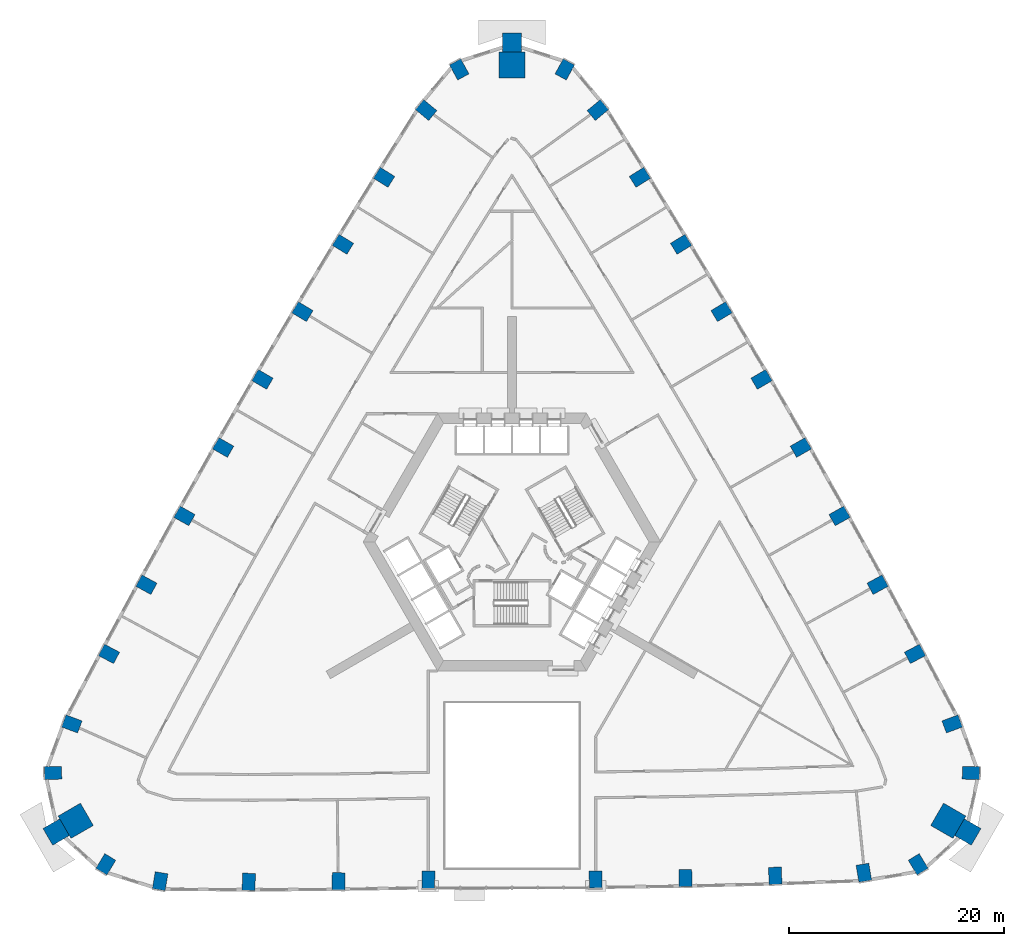
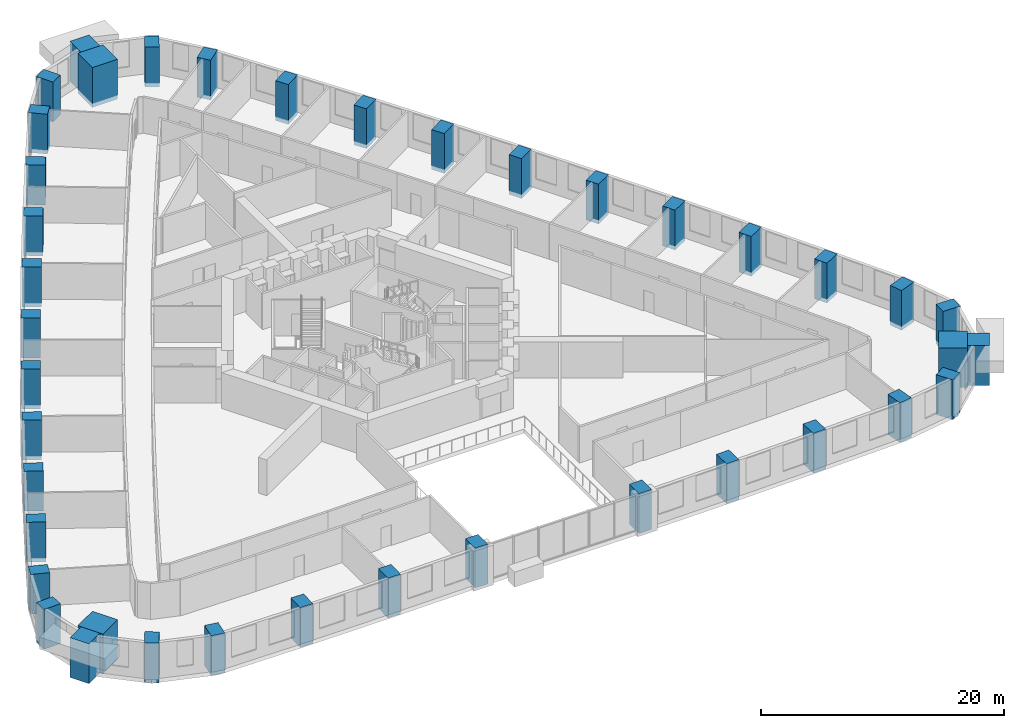
# One storey, part 1 of 15: 40 columns.
"""IFC4 building model written with IfcOpenShell, lengths in metres."""

from ifc_helpers import new_model, si_unit, direction, frame, origin, origin_2d, place, context, subcontext, project, spatial, rectangle, extrude, material, material_profile, profile_set, type_object, element, save


model = new_model("IFC4")

# Units and contexts
model_context = context("Model", 3, precision=1e-05, world=origin(), true_north=direction((0.0, 1.0)))
body_context = subcontext(model_context, "Body", "Model", "MODEL_VIEW")
ifc_project = project(units=[si_unit("LENGTHUNIT", "METRE"), si_unit("AREAUNIT", "SQUARE_METRE"), si_unit("VOLUMEUNIT", "CUBIC_METRE"), si_unit("PLANEANGLEUNIT", "RADIAN"), si_unit("MASSUNIT", "GRAM", prefix="KILO")], contexts=[model_context])

# Site, building, storey
site_placement = place(None, origin())
site = spatial("IfcSite", under=ifc_project, at=site_placement, CompositionType="ELEMENT")
building_placement = place(site_placement, origin())
building = spatial("IfcBuilding", under=site, at=building_placement, Name="Entoto Arch Interchange Tower", CompositionType="ELEMENT")
storey_placement = place(building_placement, frame((0.0, 0.0, 77.0)))
storey = spatial("IfcBuildingStorey", under=building, at=storey_placement, Name="L16", CompositionType="ELEMENT", Elevation=77.0)

# Columns
ifc_material_1 = material(Name="Concrete C60/75", Category="concrete")
ifc_material_profile_1 = material_profile(ifc_material_1, rectangle(XDim=1.199951171875, YDim=1.60009765625, at=origin_2d()))
ifc_profile_set_1 = profile_set([ifc_material_profile_1], Name="Concrete C60/75")
column_type_1 = type_object("IfcColumnType", Name="Column RC 1200x1600 C60/75", PredefinedType="COLUMN", material=ifc_profile_set_1)
for number, where, z_axis, x_axis, name in (
    (1, (-32.760986328125, -29.08203125, -0.39990234375), (0.0, 0.0, 1.0), (-0.98600476771, 0.166717119856, 0.0), "Column S01 L16"),
    (2, (-24.510009765625, -29.14306640625, -0.39990234375), (0.0, 0.0, 1.0), (-0.999434480961, 0.033626154508, 0.0), "Column S02 L16"),
    (3, (-16.14990234375, -29.0869140625, -0.39990234375), (0.0, 0.0, 1.0), (-0.99975435134, 0.022163866481, 0.0), "Column S03 L16"),
    (4, (-7.79296875, -28.946044921875, -0.39990234375), (0.0, 0.0, 1.0), (-0.999966355195, 0.008202955488, 0.0), "Column S04 L16"),
    (5, (7.79296875, -28.912109375, -0.39990234375), (0.0, 0.0, 1.0), (0.999966355195, 0.008202955488, 0.0), "Column S05 L16"),
    (6, (16.14990234375, -28.787109375, -0.39990234375), (0.0, 0.0, 1.0), (0.99975435134, 0.022163866481, 0.0), "Column S06 L16"),
    (7, (24.510009765625, -28.576904296875, -0.39990234375), (0.0, 0.0, 1.0), (0.999434480961, 0.033626154508, 0.0), "Column S07 L16"),
    (8, (32.760986328125, -28.2900390625, -0.39990234375), (0.0, 0.0, 1.0), (0.98600476771, 0.166717119856, 0.0), "Column S08 L16"),
    (9, (37.818115234375, -27.508056640625, -0.39990234375), (0.0, 0.0, 1.0), (0.854522294989, 0.519414716163, 0.0), "Column SE1 L16"),
    (10, (42.73095703125, -18.998046875, -0.39990234375), (0.0, 0.0, 1.0), (0.022565191802, 0.999745373642, 0.0), "Column SE3 L16"),
    (11, (40.989990234375, -14.43798828125, -0.39990234375), (0.0, 0.0, 1.0), (-0.348277574304, 0.937391450375, 0.0), "Column NE01 L16"),
    (12, (37.52587890625, -7.9140625, -0.39990234375), (0.0, 0.0, 1.0), (-0.46931745221, 0.883029517656, 0.0), "Column NE02 L16"),
    (13, (34.041015625, -1.47705078125, -0.39990234375), (0.0, 0.0, 1.0), (-0.478140110514, 0.878283573066, 0.0), "Column NE03 L16"),
    (14, (30.4970703125, 4.927978515625, -0.39990234375), (0.0, 0.0, 1.0), (-0.486914781103, 0.873449481048, 0.0), "Column NE04 L16"),
    (15, (26.89404296875, 11.301025390625, -0.39990234375), (0.0, 0.0, 1.0), (-0.495655741916, 0.868519076074, 0.0), "Column NE05 L16"),
    (16, (23.23388671875, 17.639892578125, -0.39990234375), (0.0, 0.0, 1.0), (-0.504331712594, 0.863510002068, 0.0), "Column NE06 L16"),
    (17, (19.51611328125, 23.947021484375, -0.39990234375), (0.0, 0.0, 1.0), (-0.512972048958, 0.858405310438, 0.0), "Column NE07 L16"),
    (18, (15.740966796875, 30.218994140625, -0.39990234375), (0.0, 0.0, 1.0), (-0.521545830745, 0.853223268806, 0.0), "Column NE08 L16"),
    (19, (11.908935546875, 36.45703125, -0.39990234375), (0.0, 0.0, 1.0), (-0.530067268476, 0.847955594881, 0.0), "Column NE09 L16"),
    (20, (7.990966796875, 42.718017578125, -0.39990234375), (0.0, 0.0, 1.0), (-0.637666022163, 0.770312952103, 0.0), "Column NE10 L16"),
    (21, (4.9140625, 46.5048828125, -0.39990234375), (0.0, 0.0, 1.0), (-0.877079103306, 0.48034596547, 0.0), "Column N1 L16"),
    (22, (-4.9140625, 46.5048828125, -0.39990234375), (0.0, 0.0, 1.0), (0.877079103306, 0.48034596547, 0.0), "Column N3 L16"),
    (23, (-7.990966796875, 42.718017578125, -0.39990234375), (0.0, 0.0, 1.0), (0.637666022163, 0.770312952103, 0.0), "Column NW01 L16"),
    (24, (-11.908935546875, 36.45703125, -0.39990234375), (0.0, 0.0, 1.0), (0.530067268476, 0.847955594881, 0.0), "Column NW02 L16"),
    (25, (-15.740966796875, 30.218994140625, -0.39990234375), (0.0, 0.0, 1.0), (0.521545830745, 0.853223268806, 0.0), "Column NW03 L16"),
    (26, (-19.51611328125, 23.947021484375, -0.39990234375), (0.0, 0.0, 1.0), (0.512972048958, 0.858405310438, 0.0), "Column NW04 L16"),
    (27, (-23.23388671875, 17.639892578125, -0.39990234375), (0.0, 0.0, 1.0), (0.504331712594, 0.863510002068, 0.0), "Column NW05 L16"),
    (28, (-26.89404296875, 11.301025390625, -0.39990234375), (0.0, 0.0, 1.0), (0.495655741916, 0.868519076074, 0.0), "Column NW06 L16"),
    (29, (-30.4970703125, 4.927978515625, -0.39990234375), (0.0, 0.0, 1.0), (0.486914781103, 0.873449481048, 0.0), "Column NW07 L16"),
    (30, (-34.041015625, -1.47705078125, -0.39990234375), (0.0, 0.0, 1.0), (0.478140110514, 0.878283573066, 0.0), "Column NW08 L16"),
    (31, (-37.52587890625, -7.9140625, -0.39990234375), (0.0, 0.0, 1.0), (0.46931745221, 0.883029517656, 0.0), "Column NW09 L16"),
    (32, (-40.989990234375, -14.43798828125, -0.39990234375), (0.0, 0.0, 1.0), (0.348277574304, 0.937391450375, 0.0), "Column NW10 L16"),
    (33, (-42.73095703125, -18.998046875, -0.39990234375), (0.0, 0.0, 1.0), (-0.022565191802, 0.999745373642, 0.0), "Column SW1 L16"),
    (34, (-37.818115234375, -27.508056640625, -0.39990234375), (0.0, 0.0, 1.0), (-0.854522294989, 0.519414716163, 0.0), "Column SW3 L16"),
):
    element("IfcColumn", number, at=place(storey_placement, frame(where, z_axis=z_axis, x_axis=x_axis)), inside=storey, type_object=column_type_1, Name=name, PredefinedType="COLUMN", context=body_context, shape_type="SweptSolid", body=[
        extrude(rectangle(XDim=1.199951171875, YDim=1.60009765625, at=origin_2d()), origin(), (0.0, 0.0, 1.0), 4.0),
    ])
ifc_material_2 = material(Name="Precast concrete C40/50", Category="concrete")
ifc_material_profile_2 = material_profile(ifc_material_2, rectangle(XDim=1.800048828125, YDim=1.800048828125, at=origin_2d()))
ifc_profile_set_2 = profile_set([ifc_material_profile_2], Name="Precast concrete C40/50")
column_type_2 = type_object("IfcColumnType", Name="Frame post RC 1800x1800 precast C40/50", PredefinedType="COLUMN", material=ifc_profile_set_2)
for number, where, z_axis, x_axis, name in (
    (35, (42.44189453125, -24.50390625, -0.39990234375), (0.0, 0.0, 1.0), (-0.866025403784, 0.5, 0.0), "Frame post SE L16"),
    (36, (0.0, 49.008056640625, -0.39990234375), (0.0, 0.0, 1.0), (0.0, 1.0, 0.0), "Frame post N L16"),
    (37, (-42.44189453125, -24.50390625, -0.39990234375), (0.0, 0.0, 1.0), (0.866025403784, 0.5, 0.0), "Frame post SW L16"),
):
    element("IfcColumn", number, at=place(storey_placement, frame(where, z_axis=z_axis, x_axis=x_axis)), inside=storey, type_object=column_type_2, Name=name, PredefinedType="COLUMN", context=body_context, shape_type="SweptSolid", body=[
        extrude(rectangle(XDim=1.800048828125, YDim=1.800048828125, at=origin_2d()), origin(), (0.0, 0.0, 1.0), 4.0),
    ])
ifc_material_profile_3 = material_profile(ifc_material_1, rectangle(XDim=2.39990234375, YDim=2.39990234375, at=origin_2d()))
ifc_profile_set_3 = profile_set([ifc_material_profile_3], Name="Concrete C60/75")
column_type_3 = type_object("IfcColumnType", Name="Mega column RC 2400x2400 C60/75", PredefinedType="COLUMN", material=ifc_profile_set_3)
for number, where, z_axis, x_axis, name in (
    (38, (40.623046875, -23.4541015625, -0.39990234375), (0.0, 0.0, 1.0), (-0.866025403784, 0.5, 0.0), "Corner mega column SE2 L16"),
    (39, (0.0, 46.907958984375, -0.39990234375), (0.0, 0.0, 1.0), (0.0, 1.0, 0.0), "Corner mega column N2 L16"),
    (40, (-40.623046875, -23.4541015625, -0.39990234375), (0.0, 0.0, 1.0), (0.866025403784, 0.5, 0.0), "Corner mega column SW2 L16"),
):
    element("IfcColumn", number, at=place(storey_placement, frame(where, z_axis=z_axis, x_axis=x_axis)), inside=storey, type_object=column_type_3, Name=name, PredefinedType="COLUMN", context=body_context, shape_type="SweptSolid", body=[
        extrude(rectangle(XDim=2.39990234375, YDim=2.39990234375, at=origin_2d()), origin(), (0.0, 0.0, 1.0), 4.0),
    ])

save(model, "model.ifc")
